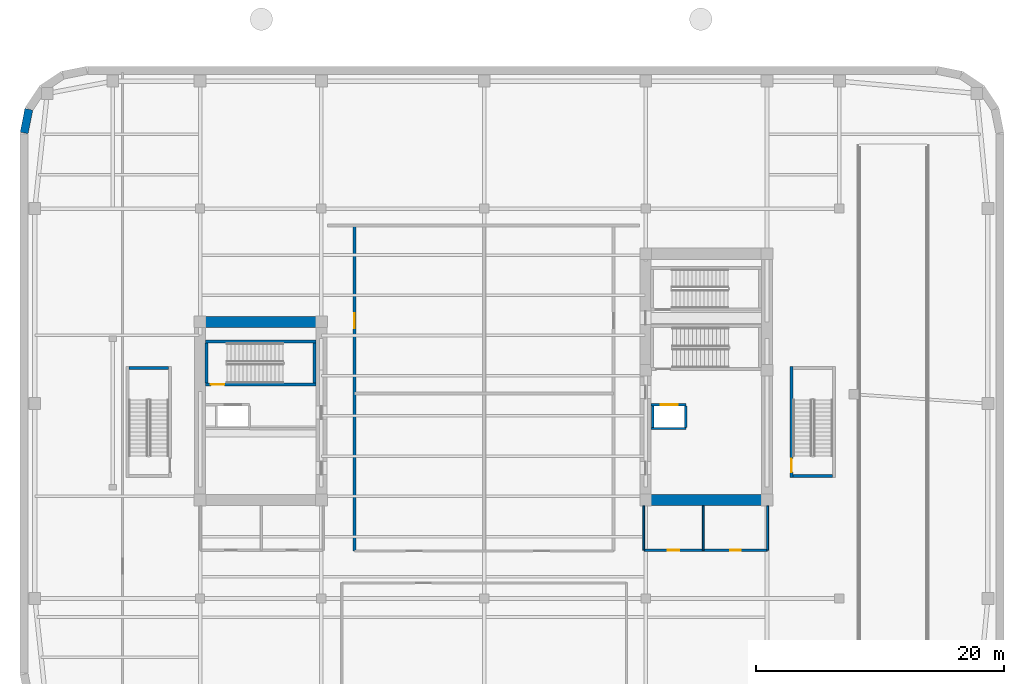
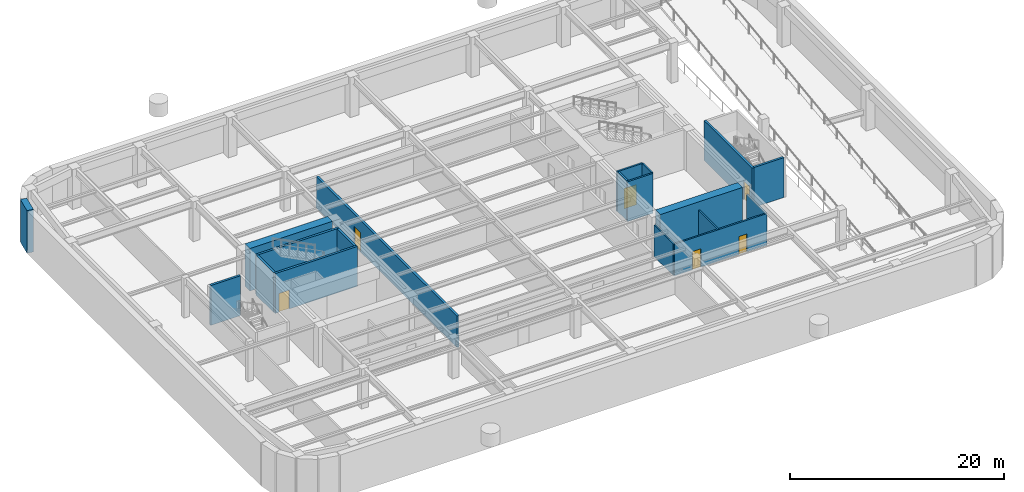
# One storey, part 5 of 12: 19 walls, 6 doors, 6 openings.
"""IFC4 building model written with IfcOpenShell, lengths in metres."""

from ifc_helpers import new_model, si_unit, direction, frame, frame_2d, origin, place, context, subcontext, project, spatial, rectangle, extrude, material, layer, layer_set, type_object, element, fill, save


model = new_model("IFC4")

# Units and contexts
model_context = context("Model", 3, precision=1e-05, world=origin(), true_north=direction((0.0, 1.0)))
body_context = subcontext(model_context, "Body", "Model", "MODEL_VIEW")
ifc_project = project(units=[si_unit("LENGTHUNIT", "METRE"), si_unit("AREAUNIT", "SQUARE_METRE"), si_unit("VOLUMEUNIT", "CUBIC_METRE"), si_unit("PLANEANGLEUNIT", "RADIAN"), si_unit("MASSUNIT", "GRAM", prefix="KILO")], contexts=[model_context])

# Site, building, storey
site_placement = place(None, origin())
site = spatial("IfcSite", under=ifc_project, at=site_placement, CompositionType="ELEMENT")
building_placement = place(site_placement, origin())
building = spatial("IfcBuilding", under=site, at=building_placement, Name="Kolvaren Arena Tower", CompositionType="ELEMENT")
storey_placement = place(building_placement, frame((0.0, 0.0, -5.0)))
storey = spatial("IfcBuildingStorey", under=building, at=storey_placement, Name="B01", CompositionType="ELEMENT", Elevation=-5.0)

# Walls
ifc_material_1 = material(Name="Concrete 80 MPa", Category="concrete")
ifc_layer_1 = layer(ifc_material_1, 0.89990234375)
ifc_layer_set_1 = layer_set([ifc_layer_1], Name="Concrete 80 MPa")
wall_type_1 = type_object("IfcWallType", Name="CWALL-900", PredefinedType="SHEAR", material=ifc_layer_set_1)
for number, where, z_axis, x_axis, name in (
    (1, (15.0, 33.85009765625, -0.31005859375), (0.0, 0.0, 1.0), (1.0, 0.0, 0.0), "Core Shear Wall WC-NORTH (B01)"),
    (2, (51.0, 19.449951171875, -0.31005859375), (0.0, 0.0, 1.0), (1.0, 0.0, 0.0), "Core Shear Wall EC-SOUTH (B01)"),
):
    element("IfcWall", number, at=place(storey_placement, frame(where, z_axis=z_axis, x_axis=x_axis)), inside=storey, type_object=wall_type_1, Name=name, PredefinedType="SHEAR", context=body_context, shape_type="SweptSolid", body=[
        extrude(rectangle(XDim=8.89990234375, YDim=0.89990234375, at=frame_2d((4.449951171875, 0.0))), origin(), (0.0, 0.0, 1.0), 4.860107421875),
    ])
ifc_material_2 = material(Name="Concrete 50 MPa", Category="concrete")
ifc_layer_2 = layer(ifc_material_2, 0.64990234375)
ifc_layer_set_2 = layer_set([ifc_layer_2], Name="Concrete 50 MPa")
wall_type_2 = type_object("IfcWallType", Name="RWALL-650", PredefinedType="USERDEFINED", material=ifc_layer_set_2)
wall_1_placement = place(storey_placement, frame((0.335205078125, 49.1201171875, -0.31005859375), z_axis=(0.0, 0.0, 1.0), x_axis=(0.19524343944, 0.980754811029, 0.0)))
element("IfcWall", 3, at=wall_1_placement, inside=storey, type_object=wall_type_2, Name="Basement Perimeter Retaining Wall (B01)", ObjectType="RETAININGWALL", PredefinedType="USERDEFINED", context=body_context, shape_type="SweptSolid", body=[
    extrude(rectangle(XDim=1.93701171875, YDim=0.64990234375, at=frame_2d((0.968505859375, 0.0))), origin(), (0.0, 0.0, 1.0), 4.860107421875),
])
ifc_material_3 = material(Name="Concrete 45 MPa", Category="concrete")
ifc_layer_3 = layer(ifc_material_3, 0.25)
ifc_layer_set_3 = layer_set([ifc_layer_3], Name="Concrete 45 MPa")
wall_type_3 = type_object("IfcWallType", Name="SHAFT-250", PredefinedType="SOLIDWALL", material=ifc_layer_set_3)
wall_2_placement = place(storey_placement, frame((8.81005859375, 30.1201171875, 0.0), z_axis=(0.0, 0.0, 1.0), x_axis=(1.0, 0.0, 0.0)))
element("IfcWall", 4, at=wall_2_placement, inside=storey, type_object=wall_type_3, Name="Stair ST-B1 North Shaft Wall (B01)", PredefinedType="SOLIDWALL", context=body_context, shape_type="SweptSolid", body=[
    extrude(rectangle(XDim=3.18994140625, YDim=0.239990234375, at=frame_2d((1.594970703125, 0.0))), origin(), (0.0, 0.0, 1.0), 4.550048828125),
])

# Wall, opening, door
wall_3_placement = place(storey_placement, frame((62.340087890625, 21.260009765625, 0.0), z_axis=(0.0, 0.0, 1.0), x_axis=(0.0, 1.0, 0.0)))
wall_3 = element("IfcWall", 5, at=wall_3_placement, inside=storey, type_object=wall_type_3, Name="Stair ST-B2 Rated Enclosure Wall (B01)", PredefinedType="SOLIDWALL", context=body_context, shape_type="SweptSolid", body=[
    extrude(rectangle(XDim=8.97998046875, YDim=0.239990234375, at=frame_2d((4.489990234375, 0.0))), origin(), (0.0, 0.0, 1.0), 4.550048828125),
])
opening_1_placement = place(wall_3_placement, frame((0.449951171875, 0.0, 0.0)))
opening_1 = element("IfcOpeningElement", 6, at=opening_1_placement, cuts=wall_3, Name="Opening D03", PredefinedType="OPENING", context=body_context, shape_type="SweptSolid", body=[
    extrude(rectangle(XDim=1.10009765625, YDim=2.14990234375, at=frame_2d((0.550048828125, 1.074951171875))), frame((0.0, 0.1298828125, 0.0), z_axis=(0.0, -1.0, 0.0), x_axis=(1.0, 0.0, 0.0)), (0.0, 0.0, 1.0), 0.260009765625),
])
ifc_material_4 = material(Name="Fire-rated steel exit stair door", Category="steel")
door_type_1 = type_object("IfcDoorType", Name="DOOR-ST-110", OperationType="NOTDEFINED", PredefinedType="DOOR", material=ifc_material_4)
door_1_placement = place(opening_1_placement, origin())
door_1 = element("IfcDoor", 7, at=door_1_placement, inside=storey, type_object=door_type_1, Name="Exit Stair ST-B2 Fire Door (B01)", OperationType="SINGLE_SWING_RIGHT", OverallHeight=2.14990234375, OverallWidth=1.10009765625, PredefinedType="DOOR", context=body_context, shape_type="SweptSolid", body=[
    extrude(rectangle(XDim=1.10009765625, YDim=2.14990234375, at=frame_2d((0.550048828125, 1.074951171875))), frame((0.0, 0.02490234375, 0.0), z_axis=(0.0, -1.0, 0.0), x_axis=(1.0, 0.0, 0.0)), (0.0, 0.0, 1.0), 0.050048828125),
])
fill(opening_1, door_1)

# Wall
wall_4_placement = place(storey_placement, frame((62.4599609375, 21.3798828125, 0.0), z_axis=(0.0, 0.0, 1.0), x_axis=(1.0, 0.0, 0.0)))
element("IfcWall", 8, at=wall_4_placement, inside=storey, type_object=wall_type_3, Name="Stair ST-B2 South Shaft Wall (B01)", PredefinedType="SOLIDWALL", context=body_context, shape_type="SweptSolid", body=[
    extrude(rectangle(XDim=3.18994140625, YDim=0.239990234375, at=frame_2d((1.594970703125, 0.0))), origin(), (0.0, 0.0, 1.0), 4.550048828125),
])

# Wall, opening, door
wall_5_placement = place(storey_placement, frame((23.89990234375, 28.780029296875, 0.0), z_axis=(0.0, 0.0, 1.0), x_axis=(-1.0, 0.0, 0.0)))
wall_5 = element("IfcWall", 9, at=wall_5_placement, inside=storey, type_object=wall_type_3, Name="Core Shaft Wall (B01)", PredefinedType="SOLIDWALL", context=body_context, shape_type="SweptSolid", body=[
    extrude(rectangle(XDim=8.89990234375, YDim=0.239990234375, at=frame_2d((4.449951171875, 0.0))), origin(), (0.0, 0.0, 1.0), 4.550048828125),
])
opening_2_placement = place(wall_5_placement, frame((7.3798828125, 0.0, 0.0)))
opening_2 = element("IfcOpeningElement", 10, at=opening_2_placement, cuts=wall_5, Name="Opening D03", PredefinedType="OPENING", context=body_context, shape_type="SweptSolid", body=[
    extrude(rectangle(XDim=1.10009765625, YDim=2.14990234375, at=frame_2d((0.550048828125, 1.074951171875))), frame((0.0, 0.1298828125, 0.0), z_axis=(0.0, -1.0, 0.0), x_axis=(1.0, 0.0, 0.0)), (0.0, 0.0, 1.0), 0.260009765625),
])
door_2_placement = place(opening_2_placement, origin())
door_2 = element("IfcDoor", 11, at=door_2_placement, inside=storey, type_object=door_type_1, Name="Stair ST-W1 Fire Door (B01)", OperationType="SINGLE_SWING_RIGHT", OverallHeight=2.14990234375, OverallWidth=1.10009765625, PredefinedType="DOOR", context=body_context, shape_type="SweptSolid", body=[
    extrude(rectangle(XDim=1.10009765625, YDim=2.14990234375, at=frame_2d((0.550048828125, 1.074951171875))), frame((0.0, 0.02490234375, 0.0), z_axis=(0.0, -1.0, 0.0), x_axis=(1.0, 0.0, 0.0)), (0.0, 0.0, 1.0), 0.050048828125),
])
fill(opening_2, door_2)

# Walls
wall_6_placement = place(storey_placement, frame((15.0, 32.25, 0.0), z_axis=(0.0, 0.0, 1.0), x_axis=(1.0, 0.0, 0.0)))
element("IfcWall", 12, at=wall_6_placement, inside=storey, type_object=wall_type_3, Name="Core Shaft Wall (B01)", PredefinedType="SOLIDWALL", context=body_context, shape_type="SweptSolid", body=[
    extrude(rectangle(XDim=8.89990234375, YDim=0.239990234375, at=frame_2d((4.449951171875, 0.0))), origin(), (0.0, 0.0, 1.0), 4.550048828125),
])
for number, where, z_axis, x_axis, name in (
    (13, (15.06005859375, 28.89990234375, 0.0), (0.0, 0.0, 1.0), (0.0, 1.0, 0.0), "Core Shaft Wall (B01)"),
    (14, (23.780029296875, 28.89990234375, 0.0), (0.0, 0.0, 1.0), (0.0, 1.0, 0.0), "Core Shaft Wall (B01)"),
):
    element("IfcWall", number, at=place(storey_placement, frame(where, z_axis=z_axis, x_axis=x_axis)), inside=storey, type_object=wall_type_3, Name=name, PredefinedType="SOLIDWALL", context=body_context, shape_type="SweptSolid", body=[
        extrude(rectangle(XDim=3.22998046875, YDim=0.239990234375, at=frame_2d((1.614990234375, 0.0))), origin(), (0.0, 0.0, 1.0), 4.550048828125),
    ])

# Wall, opening, door
wall_7_placement = place(storey_placement, frame((51.0, 27.155029296875, 0.0), z_axis=(0.0, 0.0, 1.0), x_axis=(1.0, 0.0, 0.0)))
wall_7 = element("IfcWall", 15, at=wall_7_placement, inside=storey, type_object=wall_type_3, Name="Core Shaft Wall (B01)", PredefinedType="SOLIDWALL", context=body_context, shape_type="SweptSolid", body=[
    extrude(rectangle(XDim=2.7900390625, YDim=0.179931640625, at=frame_2d((1.39501953125, 0.0))), origin(), (0.0, 0.0, 1.0), 4.550048828125),
])
opening_3_placement = place(wall_7_placement, frame((0.784912109375, 0.0, 0.0)))
opening_3 = element("IfcOpeningElement", 16, at=opening_3_placement, cuts=wall_7, Name="Opening LD2", PredefinedType="OPENING", context=body_context, shape_type="SweptSolid", body=[
    extrude(rectangle(XDim=1.35009765625, YDim=2.300048828125, at=frame_2d((0.675048828125, 1.14990234375))), frame((0.0, 0.099853515625, 0.0), z_axis=(0.0, -1.0, 0.0), x_axis=(1.0, 0.0, 0.0)), (0.0, 0.0, 1.0), 0.199951171875),
])
ifc_material_5 = material(Name="Stainless steel firefighter lift landing door", Category="steel")
door_type_2 = type_object("IfcDoorType", Name="DOOR-LD-135", OperationType="DOUBLE_DOOR_SLIDING", PredefinedType="DOOR", material=ifc_material_5)
door_3_placement = place(opening_3_placement, origin())
door_3 = element("IfcDoor", 17, at=door_3_placement, inside=storey, type_object=door_type_2, Name="Firefighter Lift FF-E1 Landing Door (B01)", OperationType="DOUBLE_DOOR_SLIDING", OverallHeight=2.300048828125, OverallWidth=1.35009765625, PredefinedType="DOOR", context=body_context, shape_type="SweptSolid", body=[
    extrude(rectangle(XDim=1.35009765625, YDim=2.300048828125, at=frame_2d((0.675048828125, 1.14990234375))), frame((0.0, 0.02490234375, 0.0), z_axis=(0.0, -1.0, 0.0), x_axis=(1.0, 0.0, 0.0)), (0.0, 0.0, 1.0), 0.050048828125),
])
fill(opening_3, door_3)

# Walls
wall_8_placement = place(storey_placement, frame((51.0, 25.2451171875, 0.0), z_axis=(0.0, 0.0, 1.0), x_axis=(1.0, 0.0, 0.0)))
element("IfcWall", 18, at=wall_8_placement, inside=storey, type_object=wall_type_3, Name="Core Shaft Wall (B01)", PredefinedType="SOLIDWALL", context=body_context, shape_type="SweptSolid", body=[
    extrude(rectangle(XDim=2.7900390625, YDim=0.179931640625, at=frame_2d((1.39501953125, 0.0))), origin(), (0.0, 0.0, 1.0), 4.550048828125),
])
for number, where, z_axis, x_axis, name in (
    (19, (51.1298828125, 25.3349609375, 0.0), (0.0, 0.0, 1.0), (0.0, 1.0, 0.0), "Core Shaft Wall (B01)"),
    (20, (53.7900390625, 25.3349609375, 0.0), (0.0, 0.0, 1.0), (0.0, 1.0, 0.0), "Core Shaft Wall (B01)"),
):
    element("IfcWall", number, at=place(storey_placement, frame(where, z_axis=z_axis, x_axis=x_axis)), inside=storey, type_object=wall_type_3, Name=name, PredefinedType="SOLIDWALL", context=body_context, shape_type="SweptSolid", body=[
        extrude(rectangle(XDim=1.72998046875, YDim=0.179931640625, at=frame_2d((0.864990234375, 0.0))), origin(), (0.0, 0.0, 1.0), 4.550048828125),
    ])

# Wall, openings, doors
wall_9_placement = place(storey_placement, frame((50.39990234375, 15.39990234375, 0.0), z_axis=(0.0, 0.0, 1.0), x_axis=(1.0, 0.0, 0.0)))
wall_9 = element("IfcWall", 21, at=wall_9_placement, inside=storey, type_object=wall_type_3, Name="Interior Partition Wall (B01)", PredefinedType="SOLIDWALL", context=body_context, shape_type="SweptSolid", body=[
    extrude(rectangle(XDim=10.0, YDim=0.179931640625, at=frame_2d((5.0, 0.0))), origin(), (0.0, 0.0, 1.0), 3.610107421875),
])
opening_4_placement = place(wall_9_placement, frame((1.93994140625, 0.0, 0.0)))
opening_4 = element("IfcOpeningElement", 22, at=opening_4_placement, cuts=wall_9, Name="Opening D07", PredefinedType="OPENING", context=body_context, shape_type="SweptSolid", body=[
    extrude(rectangle(XDim=0.919921875, YDim=2.10009765625, at=frame_2d((0.4599609375, 1.050048828125))), frame((0.0, 0.099853515625, 0.0), z_axis=(0.0, -1.0, 0.0), x_axis=(1.0, 0.0, 0.0)), (0.0, 0.0, 1.0), 0.199951171875),
])
opening_5_placement = place(wall_9_placement, frame((6.969970703125, 0.0, 0.0)))
opening_5 = element("IfcOpeningElement", 23, at=opening_5_placement, cuts=wall_9, Name="Opening D09", PredefinedType="OPENING", context=body_context, shape_type="SweptSolid", body=[
    extrude(rectangle(XDim=0.860107421875, YDim=2.050048828125, at=frame_2d((0.43017578125, 1.02490234375))), frame((0.0, 0.099853515625, 0.0), z_axis=(0.0, -1.0, 0.0), x_axis=(1.0, 0.0, 0.0)), (0.0, 0.0, 1.0), 0.199951171875),
])
ifc_material_6 = material(Name="Fire-rated steel riser access door", Category="steel")
door_type_3 = type_object("IfcDoorType", Name="DOOR-RS-086", OperationType="NOTDEFINED", PredefinedType="DOOR", material=ifc_material_6)
door_4_placement = place(opening_5_placement, origin())
door_4 = element("IfcDoor", 24, at=door_4_placement, inside=storey, type_object=door_type_3, Name="Electrical Riser Closet Door (B01)", OperationType="SINGLE_SWING_RIGHT", OverallHeight=2.050048828125, OverallWidth=0.860107421875, PredefinedType="DOOR", context=body_context, shape_type="SweptSolid", body=[
    extrude(rectangle(XDim=0.860107421875, YDim=2.050048828125, at=frame_2d((0.43017578125, 1.02490234375))), frame((0.0, 0.02490234375, 0.0), z_axis=(0.0, -1.0, 0.0), x_axis=(1.0, 0.0, 0.0)), (0.0, 0.0, 1.0), 0.050048828125),
])
fill(opening_5, door_4)
ifc_material_7 = material(Name="Laminate universal washroom door", Category="wood")
door_type_4 = type_object("IfcDoorType", Name="DOOR-WC-092", OperationType="NOTDEFINED", PredefinedType="DOOR", material=ifc_material_7)
door_5_placement = place(opening_4_placement, origin())
door_5 = element("IfcDoor", 25, at=door_5_placement, inside=storey, type_object=door_type_4, Name="Cleaner and Janitor Store Door (B01)", OperationType="SINGLE_SWING_LEFT", OverallHeight=2.10009765625, OverallWidth=0.919921875, PredefinedType="DOOR", context=body_context, shape_type="SweptSolid", body=[
    extrude(rectangle(XDim=0.919921875, YDim=2.10009765625, at=frame_2d((0.4599609375, 1.050048828125))), frame((0.0, 0.02490234375, 0.0), z_axis=(0.0, -1.0, 0.0), x_axis=(1.0, 0.0, 0.0)), (0.0, 0.0, 1.0), 0.050048828125),
])
fill(opening_4, door_5)

# Wall, opening, door
wall_10_placement = place(storey_placement, frame((27.0400390625, 15.340087890625, 0.0), z_axis=(0.0, 0.0, 1.0), x_axis=(0.0, 1.0, 0.0)))
wall_10 = element("IfcWall", 26, at=wall_10_placement, inside=storey, type_object=wall_type_3, Name="Interior Partition Wall (B01)", PredefinedType="SOLIDWALL", context=body_context, shape_type="SweptSolid", body=[
    extrude(rectangle(XDim=26.309814453125, YDim=0.25, at=frame_2d((13.15478515625, 0.0))), origin(), (0.0, 0.0, 1.0), 3.610107421875),
])
opening_6_placement = place(wall_10_placement, frame((18.0, 0.0, 0.0)))
opening_6 = element("IfcOpeningElement", 27, at=opening_6_placement, cuts=wall_10, Name="Opening D08", PredefinedType="OPENING", context=body_context, shape_type="SweptSolid", body=[
    extrude(rectangle(XDim=1.199951171875, YDim=2.199951171875, at=frame_2d((0.60009765625, 1.10009765625))), frame((0.0, 0.135009765625, 0.0), z_axis=(0.0, -1.0, 0.0), x_axis=(1.0, 0.0, 0.0)), (0.0, 0.0, 1.0), 0.27001953125),
])
ifc_material_8 = material(Name="Fire-rated steel plant room door", Category="steel")
door_type_5 = type_object("IfcDoorType", Name="DOOR-PL-120", OperationType="NOTDEFINED", PredefinedType="DOOR", material=ifc_material_8)
door_6_placement = place(opening_6_placement, origin())
door_6 = element("IfcDoor", 28, at=door_6_placement, inside=storey, type_object=door_type_5, Name="Ice Plant Fire Door", OperationType="SINGLE_SWING_LEFT", OverallHeight=2.199951171875, OverallWidth=1.199951171875, PredefinedType="DOOR", context=body_context, shape_type="SweptSolid", body=[
    extrude(rectangle(XDim=1.199951171875, YDim=2.199951171875, at=frame_2d((0.60009765625, 1.10009765625))), frame((0.0, 0.02490234375, 0.0), z_axis=(0.0, -1.0, 0.0), x_axis=(1.0, 0.0, 0.0)), (0.0, 0.0, 1.0), 0.050048828125),
])
fill(opening_6, door_6)

# Walls
ifc_material_9 = material(Name="Moisture-resistant gypsum assembly", Category="gypsum")
ifc_layer_4 = layer(ifc_material_9, 0.14990234375)
ifc_layer_set_4 = layer_set([ifc_layer_4], Name="Moisture-resistant gypsum assembly")
wall_type_4 = type_object("IfcWallType", Name="WETW-150", PredefinedType="PARTITIONING", material=ifc_layer_set_4)
for number, where, z_axis, x_axis, name in (
    (29, (55.199951171875, 15.39990234375, 0.0), (0.0, 0.0, 1.0), (0.0, 1.0, 0.0), "Interior Partition Wall (B01)"),
    (30, (50.39990234375, 15.39990234375, 0.0), (0.0, 0.0, 1.0), (0.0, 1.0, 0.0), "Interior Partition Wall (B01)"),
    (31, (60.39990234375, 15.39990234375, 0.0), (0.0, 0.0, 1.0), (0.0, 1.0, 0.0), "Interior Partition Wall (B01)"),
):
    element("IfcWall", number, at=place(storey_placement, frame(where, z_axis=z_axis, x_axis=x_axis)), inside=storey, type_object=wall_type_4, Name=name, PredefinedType="PARTITIONING", context=body_context, shape_type="SweptSolid", body=[
        extrude(rectangle(XDim=3.580078125, YDim=0.14990234375, at=frame_2d((1.7900390625, 0.0))), origin(), (0.0, 0.0, 1.0), 3.610107421875),
    ])

save(model, "model.ifc")
